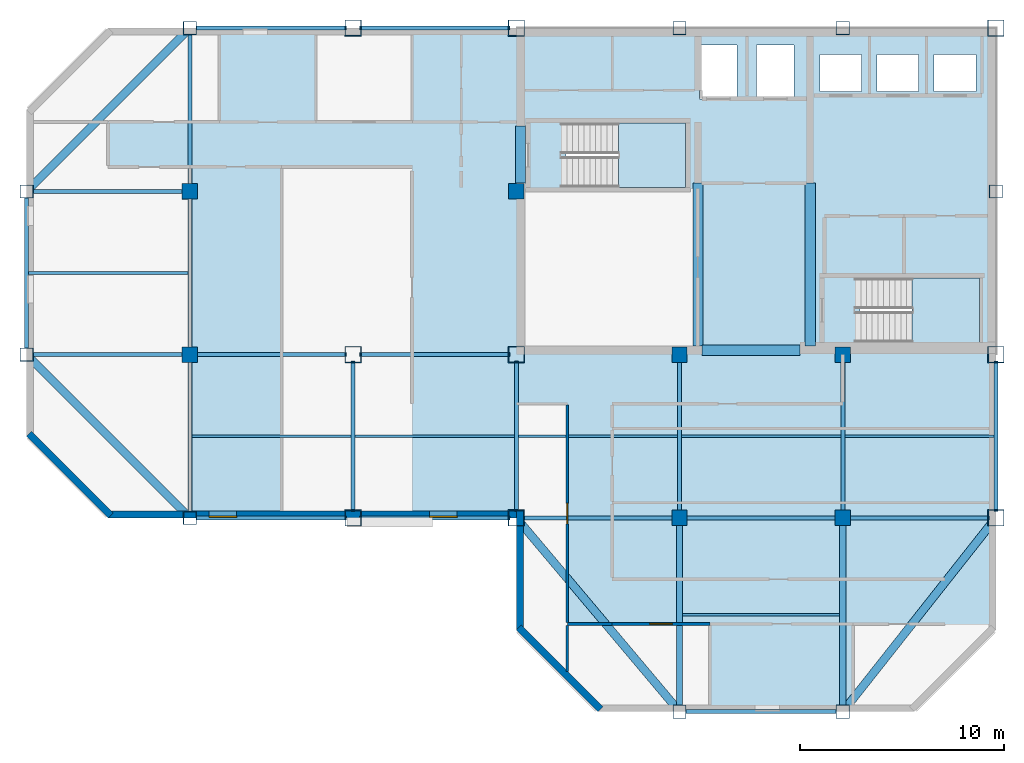
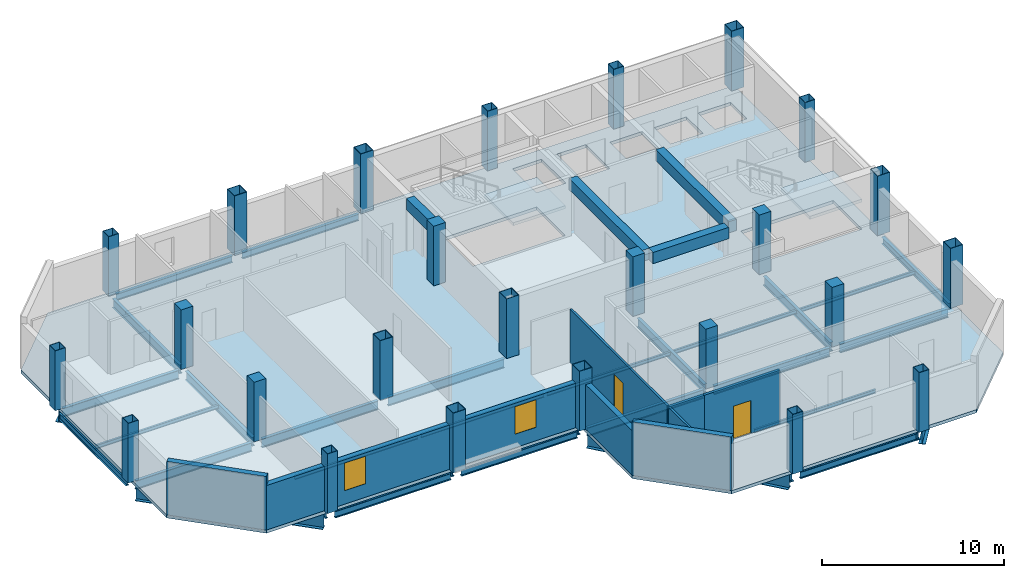
# One storey, part 1 of 7: 38 beams, 25 columns, 8 walls, 3 slabs, 2 doors, 2 windows, 4 openings, 2 elements without a shape of their own.
"""IFC4 building model written with IfcOpenShell, lengths in metres."""

from ifc_helpers import new_model, si_unit, direction, frame, frame_2d, origin, origin_2d, place, context, subcontext, project, spatial, polyline, rectangle, hollow_rectangle, i_section, outline, extrude, material, layer, layer_set, material_profile, profile_set, type_object, element, fill, aggregate, save


model = new_model("IFC4")

# Units and contexts
model_context = context("Model", 3, precision=1e-05, world=origin(), true_north=direction((0.0, 1.0)))
body_context = subcontext(model_context, "Body", "Model", "MODEL_VIEW")
ifc_project = project(units=[si_unit("LENGTHUNIT", "METRE"), si_unit("AREAUNIT", "SQUARE_METRE"), si_unit("VOLUMEUNIT", "CUBIC_METRE"), si_unit("PLANEANGLEUNIT", "RADIAN"), si_unit("MASSUNIT", "GRAM", prefix="KILO")], contexts=[model_context])

# Site, building, storey
site_placement = place(None, origin())
site = spatial("IfcSite", under=ifc_project, at=site_placement, CompositionType="ELEMENT")
building_placement = place(site_placement, origin())
building = spatial("IfcBuilding", under=site, at=building_placement, Name="Qianrong Seaharbour Tower", CompositionType="ELEMENT")
storey_placement = place(building_placement, frame((0.0, 0.0, 363.199951171875)))
storey = spatial("IfcBuildingStorey", under=building, at=storey_placement, Name="L88", CompositionType="ELEMENT", Elevation=363.199951171875)

# Columns
ifc_material_1 = material(Name="Structural steel SN490B", Category="steel")
ifc_material_profile_1 = material_profile(ifc_material_1, hollow_rectangle(XDim=0.800048828125, YDim=0.800048828125, WallThickness=0.031982421875, at=origin_2d()), Name="BOX800x800x32")
ifc_profile_set_1 = profile_set([ifc_material_profile_1], Name="Structural steel SN490B")
column_type_1 = type_object("IfcColumnType", Name="COL-CFT-800", PredefinedType="COLUMN", material=ifc_profile_set_1)
for number, where, z_axis, x_axis, name in (
    (1, (32.5, 28.0, 0.0), (0.0, 0.0, 1.0), (1.0, 0.0, 0.0), "L88 Column MC-5 at G5/GE"),
    (2, (32.5, 36.0, 0.0), (0.0, 0.0, 1.0), (1.0, 0.0, 0.0), "L88 Column MC-5 at G5/GF"),
    (3, (32.5, 52.0, 0.0), (0.0, 0.0, 1.0), (1.0, 0.0, 0.0), "L88 Column MC-5 at G5/GH"),
    (4, (40.5, 28.0, 0.0), (0.0, 0.0, 1.0), (1.0, 0.0, 0.0), "L88 Column MC-5 at G6/GE"),
    (5, (40.5, 36.0, 0.0), (0.0, 0.0, 1.0), (1.0, 0.0, 0.0), "L88 Column MC-5 at G6/GF"),
    (6, (40.5, 52.0, 0.0), (0.0, 0.0, 1.0), (1.0, 0.0, 0.0), "L88 Column MC-5 at G6/GH"),
    (7, (64.0, 28.0, 0.0), (0.0, 0.0, 1.0), (1.0, 0.0, 0.0), "L88 Column MC-5 at G9/GE"),
    (8, (64.0, 36.0, 0.0), (0.0, 0.0, 1.0), (1.0, 0.0, 0.0), "L88 Column MC-5 at G9/GF"),
    (9, (64.0, 52.0, 0.0), (0.0, 0.0, 1.0), (1.0, 0.0, 0.0), "L88 Column MC-5 at G9/GH"),
):
    element("IfcColumn", number, at=place(storey_placement, frame(where, z_axis=z_axis, x_axis=x_axis)), inside=storey, type_object=column_type_1, Name=name, PredefinedType="COLUMN", context=body_context, shape_type="SweptSolid", body=[
        extrude(hollow_rectangle(XDim=0.800048828125, YDim=0.800048828125, WallThickness=0.031982421875, at=origin_2d()), origin(), (0.0, 0.0, 1.0), 4.0),
    ])
ifc_material_2 = material(Name="Concrete C50/60", Category="concrete")
ifc_material_profile_2 = material_profile(ifc_material_2, rectangle(XDim=0.75, YDim=0.75, at=origin_2d()), Name="RC750x750")
ifc_profile_set_2 = profile_set([ifc_material_profile_2], Name="Concrete C50/60")
column_type_2 = type_object("IfcColumnType", Name="COL-INT-RC750", PredefinedType="COLUMN", material=ifc_profile_set_2)
for number, where, z_axis, x_axis, name in (
    (10, (24.5, 36.0, 0.0), (0.0, 0.0, 1.0), (1.0, 0.0, 0.0), "L88 Column IC-4 at G4/GF"),
    (11, (24.5, 44.0, 0.0), (0.0, 0.0, 1.0), (1.0, 0.0, 0.0), "L88 Column IC-4 at G4/GG"),
    (12, (40.5, 44.0, 0.0), (0.0, 0.0, 1.0), (1.0, 0.0, 0.0), "L88 Column IC-4 at G6/GG"),
    (13, (48.5, 28.0, 0.0), (0.0, 0.0, 1.0), (1.0, 0.0, 0.0), "L88 Column IC-4 at G7/GE"),
    (14, (48.5, 36.0, 0.0), (0.0, 0.0, 1.0), (1.0, 0.0, 0.0), "L88 Column IC-4 at G7/GF"),
    (15, (56.5, 28.0, 0.0), (0.0, 0.0, 1.0), (1.0, 0.0, 0.0), "L88 Column IC-4 at G8/GE"),
    (16, (56.5, 36.0, 0.0), (0.0, 0.0, 1.0), (1.0, 0.0, 0.0), "L88 Column IC-4 at G8/GF"),
):
    element("IfcColumn", number, at=place(storey_placement, frame(where, z_axis=z_axis, x_axis=x_axis)), inside=storey, type_object=column_type_2, Name=name, PredefinedType="COLUMN", context=body_context, shape_type="SweptSolid", body=[
        extrude(rectangle(XDim=0.75, YDim=0.75, at=origin_2d()), origin(), (0.0, 0.0, 1.0), 4.0),
    ])
ifc_material_3 = material(Name="Structural steel SN400B", Category="steel")
ifc_material_profile_3 = material_profile(ifc_material_3, hollow_rectangle(XDim=0.64990234375, YDim=0.64990234375, WallThickness=0.028076171875, at=origin_2d()), Name="BOX650x650x28")
ifc_profile_set_3 = profile_set([ifc_material_profile_3], Name="Structural steel SN400B")
column_type_3 = type_object("IfcColumnType", Name="COL-PER-650", PredefinedType="COLUMN", material=ifc_profile_set_3)
for number, where, z_axis, x_axis, name in (
    (17, (16.5, 36.0, 0.0), (0.0, 0.0, 1.0), (1.0, 0.0, 0.0), "L88 Column PC-4 at G3/GF"),
    (18, (16.5, 44.0, 0.0), (0.0, 0.0, 1.0), (1.0, 0.0, 0.0), "L88 Column PC-4 at G3/GG"),
    (19, (24.5, 28.0, 0.0), (0.0, 0.0, 1.0), (1.0, 0.0, 0.0), "L88 Column PC-4 at G4/GE"),
    (20, (24.5, 52.0, 0.0), (0.0, 0.0, 1.0), (1.0, 0.0, 0.0), "L88 Column PC-4 at G4/GH"),
    (21, (48.5, 18.5, 0.0), (0.0, 0.0, 1.0), (1.0, 0.0, 0.0), "L88 Column PC-4 at G7/GD"),
    (22, (48.5, 52.0, 0.0), (0.0, 0.0, 1.0), (1.0, 0.0, 0.0), "L88 Column PC-4 at G7/GH"),
    (23, (56.5, 18.5, 0.0), (0.0, 0.0, 1.0), (1.0, 0.0, 0.0), "L88 Column PC-4 at G8/GD"),
    (24, (56.5, 52.0, 0.0), (0.0, 0.0, 1.0), (1.0, 0.0, 0.0), "L88 Column PC-4 at G8/GH"),
    (25, (64.0, 44.0, 0.0), (0.0, 0.0, 1.0), (1.0, 0.0, 0.0), "L88 Column PC-4 at G9/GG"),
):
    element("IfcColumn", number, at=place(storey_placement, frame(where, z_axis=z_axis, x_axis=x_axis)), inside=storey, type_object=column_type_3, Name=name, PredefinedType="COLUMN", context=body_context, shape_type="SweptSolid", body=[
        extrude(hollow_rectangle(XDim=0.64990234375, YDim=0.64990234375, WallThickness=0.028076171875, at=origin_2d()), origin(), (0.0, 0.0, 1.0), 4.0),
    ])

# Beams
ifc_material_profile_4 = material_profile(ifc_material_1, i_section(OverallWidth=0.199951171875, OverallDepth=0.60009765625, WebThickness=0.010986328125, FlangeThickness=0.01708984375, FilletRadius=0.02197265625, at=origin_2d()), Name="H600x200x11x17")
ifc_profile_set_4 = profile_set([ifc_material_profile_4], Name="Structural steel SN490B")
beam_type_1 = type_object("IfcBeamType", Name="BM-G-600", PredefinedType="BEAM", material=ifc_profile_set_4)
for number, where, z_axis, x_axis, name in (
    (26, (40.820068359375, 28.0, -0.514892578125), (1.0, 0.0, 0.0), (0.0, 1.0, 0.0), "L88 Primary Girder GE G6-G7"),
    (27, (48.820068359375, 28.0, -0.514892578125), (1.0, 0.0, 0.0), (0.0, 1.0, 0.0), "L88 Primary Girder GE G7-G8"),
):
    element("IfcBeam", number, at=place(storey_placement, frame(where, z_axis=z_axis, x_axis=x_axis)), inside=storey, type_object=beam_type_1, Name=name, PredefinedType="BEAM", context=body_context, shape_type="SweptSolid", body=[
        extrude(i_section(OverallWidth=0.199951171875, OverallDepth=0.60009765625, WebThickness=0.010986328125, FlangeThickness=0.01708984375, FilletRadius=0.02197265625, at=origin_2d()), origin(), (0.0, 0.0, 1.0), 7.35986328125),
    ])
beam_1_placement = place(storey_placement, frame((56.820068359375, 28.0, -0.514892578125), z_axis=(1.0, 0.0, 0.0), x_axis=(0.0, 1.0, 0.0)))
element("IfcBeam", 28, at=beam_1_placement, inside=storey, type_object=beam_type_1, Name="L88 Primary Girder GE G8-G9", PredefinedType="BEAM", context=body_context, shape_type="SweptSolid", body=[
    extrude(i_section(OverallWidth=0.199951171875, OverallDepth=0.60009765625, WebThickness=0.010986328125, FlangeThickness=0.01708984375, FilletRadius=0.02197265625, at=origin_2d()), origin(), (0.0, 0.0, 1.0), 6.85986328125),
])
for number, where, z_axis, x_axis, name in (
    (29, (16.820068359375, 36.0, -0.514892578125), (1.0, 0.0, 0.0), (0.0, 1.0, 0.0), "L88 Primary Girder GF G3-G4"),
    (30, (24.820068359375, 36.0, -0.514892578125), (1.0, 0.0, 0.0), (0.0, 1.0, 0.0), "L88 Primary Girder GF G4-G5"),
    (31, (32.820068359375, 36.0, -0.514892578125), (1.0, 0.0, 0.0), (0.0, 1.0, 0.0), "L88 Primary Girder GF G5-G6"),
    (32, (16.820068359375, 44.0, -0.514892578125), (1.0, 0.0, 0.0), (0.0, 1.0, 0.0), "L88 Primary Girder GG G3-G4"),
    (33, (24.5, 28.320068359375, -0.514892578125), (0.0, 1.0, 0.0), (-1.0, 0.0, 0.0), "L88 Primary Girder G4 GE-GF"),
    (34, (24.5, 36.320068359375, -0.514892578125), (0.0, 1.0, 0.0), (-1.0, 0.0, 0.0), "L88 Primary Girder G4 GF-GG"),
    (35, (24.5, 44.320068359375, -0.514892578125), (0.0, 1.0, 0.0), (-1.0, 0.0, 0.0), "L88 Primary Girder G4 GG-GH"),
    (36, (32.5, 28.320068359375, -0.514892578125), (0.0, 1.0, 0.0), (-1.0, 0.0, 0.0), "L88 Primary Girder G5 GE-GF"),
    (37, (40.5, 28.320068359375, -0.514892578125), (0.0, 1.0, 0.0), (-1.0, 0.0, 0.0), "L88 Primary Girder G6 GE-GF"),
    (38, (48.5, 28.320068359375, -0.514892578125), (0.0, 1.0, 0.0), (-1.0, 0.0, 0.0), "L88 Primary Girder G7 GE-GF"),
    (39, (56.5, 28.320068359375, -0.514892578125), (0.0, 1.0, 0.0), (-1.0, 0.0, 0.0), "L88 Primary Girder G8 GE-GF"),
):
    element("IfcBeam", number, at=place(storey_placement, frame(where, z_axis=z_axis, x_axis=x_axis)), inside=storey, type_object=beam_type_1, Name=name, PredefinedType="BEAM", context=body_context, shape_type="SweptSolid", body=[
        extrude(i_section(OverallWidth=0.199951171875, OverallDepth=0.60009765625, WebThickness=0.010986328125, FlangeThickness=0.01708984375, FilletRadius=0.02197265625, at=origin_2d()), origin(), (0.0, 0.0, 1.0), 7.35986328125),
    ])
ifc_material_profile_5 = material_profile(ifc_material_1, i_section(OverallWidth=0.300048828125, OverallDepth=0.800048828125, WebThickness=0.013916015625, FlangeThickness=0.02587890625, FilletRadius=0.028076171875, at=origin_2d()), Name="H800x300x14x26")
ifc_profile_set_5 = profile_set([ifc_material_profile_5], Name="Structural steel SN490B")
beam_type_2 = type_object("IfcBeamType", Name="BM-G-800", PredefinedType="BEAM", material=ifc_profile_set_5)
for number, where, z_axis, x_axis, name in (
    (40, (48.5, 18.820068359375, -0.614990234375), (0.0, 1.0, 0.0), (-1.0, 0.0, 0.0), "L88 Primary Girder G7 GD-GE"),
    (41, (56.5, 18.820068359375, -0.614990234375), (0.0, 1.0, 0.0), (-1.0, 0.0, 0.0), "L88 Primary Girder G8 GD-GE"),
):
    element("IfcBeam", number, at=place(storey_placement, frame(where, z_axis=z_axis, x_axis=x_axis)), inside=storey, type_object=beam_type_2, Name=name, PredefinedType="BEAM", context=body_context, shape_type="SweptSolid", body=[
        extrude(i_section(OverallWidth=0.300048828125, OverallDepth=0.800048828125, WebThickness=0.013916015625, FlangeThickness=0.02587890625, FilletRadius=0.028076171875, at=origin_2d()), origin(), (0.0, 0.0, 1.0), 8.85986328125),
    ])
ifc_material_profile_6 = material_profile(ifc_material_3, i_section(OverallWidth=0.125, OverallDepth=0.25, WebThickness=0.006103515625, FlangeThickness=0.009033203125, FilletRadius=0.011962890625, at=origin_2d()), Name="H250x125x6x9")
ifc_profile_set_6 = profile_set([ifc_material_profile_6], Name="Structural steel SN400B")
beam_type_3 = type_object("IfcBeamType", Name="BM-J-250", PredefinedType="JOIST", material=ifc_profile_set_6)
for number, where, z_axis, x_axis, name in (
    (42, (16.60009765625, 40.0, -0.33984375), (1.0, 0.0, 0.0), (0.0, 1.0, 0.0), "L88 Composite Floor Joist G3-G4/GF-GG"),
    (43, (24.60009765625, 32.0, -0.33984375), (1.0, 0.0, 0.0), (0.0, 1.0, 0.0), "L88 Composite Floor Joist G4-G5/GE-GF"),
    (44, (32.60009765625, 32.0, -0.33984375), (1.0, 0.0, 0.0), (0.0, 1.0, 0.0), "L88 Composite Floor Joist G5-G6/GE-GF"),
    (45, (40.60009765625, 32.0, -0.33984375), (1.0, 0.0, 0.0), (0.0, 1.0, 0.0), "L88 Composite Floor Joist G6-G7/GE-GF"),
):
    element("IfcBeam", number, at=place(storey_placement, frame(where, z_axis=z_axis, x_axis=x_axis)), inside=storey, type_object=beam_type_3, Name=name, PredefinedType="JOIST", context=body_context, shape_type="SweptSolid", body=[
        extrude(i_section(OverallWidth=0.125, OverallDepth=0.25, WebThickness=0.006103515625, FlangeThickness=0.009033203125, FilletRadius=0.011962890625, at=origin_2d()), origin(), (0.0, 0.0, 1.0), 7.7998046875),
    ])
beam_2_placement = place(storey_placement, frame((48.64990234375, 23.25, -0.33984375), z_axis=(1.0, 0.0, 0.0), x_axis=(0.0, 1.0, 0.0)))
element("IfcBeam", 46, at=beam_2_placement, inside=storey, type_object=beam_type_3, Name="L88 Composite Floor Joist G7-G8/GD-GE", PredefinedType="JOIST", context=body_context, shape_type="SweptSolid", body=[
    extrude(i_section(OverallWidth=0.125, OverallDepth=0.25, WebThickness=0.006103515625, FlangeThickness=0.009033203125, FilletRadius=0.011962890625, at=origin_2d()), origin(), (0.0, 0.0, 1.0), 7.7001953125),
])
beam_3_placement = place(storey_placement, frame((48.60009765625, 32.0, -0.33984375), z_axis=(1.0, 0.0, 0.0), x_axis=(0.0, 1.0, 0.0)))
element("IfcBeam", 47, at=beam_3_placement, inside=storey, type_object=beam_type_3, Name="L88 Composite Floor Joist G7-G8/GE-GF", PredefinedType="JOIST", context=body_context, shape_type="SweptSolid", body=[
    extrude(i_section(OverallWidth=0.125, OverallDepth=0.25, WebThickness=0.006103515625, FlangeThickness=0.009033203125, FilletRadius=0.011962890625, at=origin_2d()), origin(), (0.0, 0.0, 1.0), 7.7998046875),
])
beam_4_placement = place(storey_placement, frame((56.60009765625, 32.0, -0.33984375), z_axis=(1.0, 0.0, 0.0), x_axis=(0.0, 1.0, 0.0)))
element("IfcBeam", 48, at=beam_4_placement, inside=storey, type_object=beam_type_3, Name="L88 Composite Floor Joist G8-G9/GE-GF", PredefinedType="JOIST", context=body_context, shape_type="SweptSolid", body=[
    extrude(i_section(OverallWidth=0.125, OverallDepth=0.25, WebThickness=0.006103515625, FlangeThickness=0.009033203125, FilletRadius=0.011962890625, at=origin_2d()), origin(), (0.0, 0.0, 1.0), 7.2998046875),
])
ifc_material_4 = material(Name="Concrete C60/75", Category="concrete")
ifc_material_profile_7 = material_profile(ifc_material_4, rectangle(XDim=0.5, YDim=0.75, at=origin_2d()), Name="RC500x750")
ifc_profile_set_7 = profile_set([ifc_material_profile_7], Name="Concrete C60/75")
beam_type_4 = type_object("IfcBeamType", Name="BM-LINTEL-750", PredefinedType="LINTEL", material=ifc_profile_set_7)
beam_5_placement = place(storey_placement, frame((40.7099609375, 44.39990234375, 3.205078125), z_axis=(0.0, 1.0, 0.0), x_axis=(-1.0, 0.0, 0.0)))
element("IfcBeam", 49, at=beam_5_placement, inside=storey, type_object=beam_type_4, Name="L88 Core Coupling Lintel Beam West", PredefinedType="LINTEL", context=body_context, shape_type="SweptSolid", body=[
    extrude(rectangle(XDim=0.5, YDim=0.75, at=origin_2d()), origin(), (0.0, 0.0, 1.0), 2.800048828125),
])
beam_6_placement = place(storey_placement, frame((49.60009765625, 36.2099609375, 3.205078125), z_axis=(1.0, 0.0, 0.0), x_axis=(0.0, 1.0, 0.0)))
element("IfcBeam", 50, at=beam_6_placement, inside=storey, type_object=beam_type_4, Name="L88 Core Coupling Lintel Beam CBC", PredefinedType="LINTEL", context=body_context, shape_type="SweptSolid", body=[
    extrude(rectangle(XDim=0.5, YDim=0.75, at=origin_2d()), origin(), (0.0, 0.0, 1.0), 4.7998046875),
])
for number, where, z_axis, x_axis, name in (
    (51, (49.39990234375, 36.419921875, 3.205078125), (0.0, 1.0, 0.0), (-1.0, 0.0, 0.0), "L88 Internal Core Coupling Beam IW1"),
    (52, (54.89990234375, 36.419921875, 3.205078125), (0.0, 1.0, 0.0), (-1.0, 0.0, 0.0), "L88 Internal Core Coupling Beam IW2"),
):
    element("IfcBeam", number, at=place(storey_placement, frame(where, z_axis=z_axis, x_axis=x_axis)), inside=storey, type_object=beam_type_4, Name=name, PredefinedType="LINTEL", context=body_context, shape_type="SweptSolid", body=[
        extrude(rectangle(XDim=0.5, YDim=0.75, at=origin_2d()), origin(), (0.0, 0.0, 1.0), 7.97998046875),
    ])
ifc_material_profile_8 = material_profile(ifc_material_3, i_section(OverallWidth=0.199951171875, OverallDepth=0.449951171875, WebThickness=0.009033203125, FlangeThickness=0.013916015625, FilletRadius=0.01806640625, at=origin_2d()), Name="H450x200x9x14")
ifc_profile_set_8 = profile_set([ifc_material_profile_8], Name="Structural steel SN400B")
beam_type_5 = type_object("IfcBeamType", Name="BM-SP-450", PredefinedType="SPANDREL", material=ifc_profile_set_8)
for number, where, z_axis, x_axis, name in (
    (53, (48.820068359375, 18.5, -0.43994140625), (1.0, 0.0, 0.0), (0.0, 1.0, 0.0), "L88 Spandrel Girder GD G7-G8"),
    (54, (24.820068359375, 28.0, -0.43994140625), (1.0, 0.0, 0.0), (0.0, 1.0, 0.0), "L88 Spandrel Girder GE G4-G5"),
    (55, (32.820068359375, 28.0, -0.43994140625), (1.0, 0.0, 0.0), (0.0, 1.0, 0.0), "L88 Spandrel Girder GE G5-G6"),
    (56, (24.820068359375, 52.0, -0.43994140625), (1.0, 0.0, 0.0), (0.0, 1.0, 0.0), "L88 Spandrel Girder GH G4-G5"),
    (57, (32.820068359375, 52.0, -0.43994140625), (1.0, 0.0, 0.0), (0.0, 1.0, 0.0), "L88 Spandrel Girder GH G5-G6"),
    (58, (16.5, 36.320068359375, -0.43994140625), (0.0, 1.0, 0.0), (-1.0, 0.0, 0.0), "L88 Spandrel Girder G3 GF-GG"),
    (59, (64.0, 28.320068359375, -0.43994140625), (0.0, 1.0, 0.0), (-1.0, 0.0, 0.0), "L88 Spandrel Girder G9 GE-GF"),
):
    element("IfcBeam", number, at=place(storey_placement, frame(where, z_axis=z_axis, x_axis=x_axis)), inside=storey, type_object=beam_type_5, Name=name, PredefinedType="SPANDREL", context=body_context, shape_type="SweptSolid", body=[
        extrude(i_section(OverallWidth=0.199951171875, OverallDepth=0.449951171875, WebThickness=0.009033203125, FlangeThickness=0.013916015625, FilletRadius=0.01806640625, at=origin_2d()), origin(), (0.0, 0.0, 1.0), 7.35986328125),
    ])
ifc_material_profile_9 = material_profile(ifc_material_1, i_section(OverallWidth=0.39990234375, OverallDepth=1.10009765625, WebThickness=0.02001953125, FlangeThickness=0.035888671875, at=origin_2d()), Name="BH1100x400x20x36")
ifc_profile_set_9 = profile_set([ifc_material_profile_9], Name="Structural steel SN490B")
beam_type_6 = type_object("IfcBeamType", Name="BM-TG-1100", PredefinedType="BEAM", material=ifc_profile_set_9)
for number, where, z_axis, x_axis, name in (
    (60, (24.273681640625, 28.226318359375, -0.764892578125), (-0.707106781187, 0.707106781187, 0.0), (-0.707106781187, -0.707106781187, 0.0), "L88 Chamfer Corner Spandrel Girder G3/GE"),
    (61, (24.273681640625, 51.773681640625, -0.764892578125), (-0.707106781187, -0.707106781187, 0.0), (0.707106781187, -0.707106781187, 0.0), "L88 Chamfer Corner Spandrel Girder G3/GH"),
):
    element("IfcBeam", number, at=place(storey_placement, frame(where, z_axis=z_axis, x_axis=x_axis)), inside=storey, type_object=beam_type_6, Name=name, PredefinedType="BEAM", context=body_context, shape_type="SweptSolid", body=[
        extrude(i_section(OverallWidth=0.39990234375, OverallDepth=1.10009765625, WebThickness=0.02001953125, FlangeThickness=0.035888671875, at=origin_2d()), origin(), (0.0, 0.0, 1.0), 10.673583984375),
    ])
beam_7_placement = place(storey_placement, frame((48.2939453125, 18.744873046875, -0.764892578125), z_axis=(-0.644151063101, 0.764898299061, 0.0), x_axis=(-0.764898299061, -0.644151063101, 0.0)))
element("IfcBeam", 62, at=beam_7_placement, inside=storey, type_object=beam_type_6, Name="L88 Chamfer Corner Spandrel Girder G6/GD", PredefinedType="BEAM", context=body_context, shape_type="SweptSolid", body=[
    extrude(i_section(OverallWidth=0.39990234375, OverallDepth=1.10009765625, WebThickness=0.02001953125, FlangeThickness=0.035888671875, at=origin_2d()), origin(), (0.0, 0.0, 1.0), 11.77978515625),
])
beam_8_placement = place(storey_placement, frame((56.6982421875, 18.751220703125, -0.764892578125), z_axis=(0.619653955715, 0.784875133487, 0.0), x_axis=(-0.784875133487, 0.619653955715, 0.0)))
element("IfcBeam", 63, at=beam_8_placement, inside=storey, type_object=beam_type_6, Name="L88 Chamfer Corner Spandrel Girder G9/GD", PredefinedType="BEAM", context=body_context, shape_type="SweptSolid", body=[
    extrude(i_section(OverallWidth=0.39990234375, OverallDepth=1.10009765625, WebThickness=0.02001953125, FlangeThickness=0.035888671875, at=origin_2d()), origin(), (0.0, 0.0, 1.0), 11.463623046875),
])

# Stair, slab
stair_type = type_object("IfcStairType", Name="STAIR-DOGLEG-1500-R22", PredefinedType="HALF_TURN_STAIR", material=ifc_material_2)
stair_1_placement = place(storey_placement, origin())
stair_1 = element("IfcStair", 64, at=stair_1_placement, inside=storey, type_object=stair_type, Name="L88 Protected Escape Stair ST-1", PredefinedType="HALF_TURN_STAIR")
ifc_layer_1 = layer(ifc_material_2, 0.199951171875)
ifc_layer_set_1 = layer_set([ifc_layer_1], Name="Concrete C50/60")
slab_type_1 = type_object("IfcSlabType", Name="SLAB-STAIR-LANDING-200", PredefinedType="LANDING", material=ifc_layer_set_1)
slab_1_placement = place(storey_placement, frame((0.0, 0.0, 1.800048828125)))
slab_1 = element("IfcSlab", 65, at=slab_1_placement, type_object=slab_type_1, Name="ST-1 landing 1", PredefinedType="LANDING", context=body_context, shape_type="SweptSolid", body=[
    extrude(outline(polyline([(45.5, 44.199951171875), (48.800048828125, 44.199951171875), (48.800048828125, 47.35009765625), (45.5, 47.35009765625), (45.5, 44.199951171875)])), origin(), (0.0, 0.0, 1.0), 0.199951171875),
])
aggregate(stair_1, [slab_1])

stair_2_placement = place(storey_placement, origin())
stair_2 = element("IfcStair", 66, at=stair_2_placement, inside=storey, type_object=stair_type, Name="L88 Protected Escape Stair ST-2", PredefinedType="HALF_TURN_STAIR")
slab_2_placement = place(storey_placement, frame((0.0, 0.0, 1.800048828125)))
slab_2 = element("IfcSlab", 67, at=slab_2_placement, type_object=slab_type_1, Name="ST-2 landing 1", PredefinedType="LANDING", context=body_context, shape_type="SweptSolid", body=[
    extrude(outline(polyline([(59.89990234375, 36.60009765625), (63.199951171875, 36.60009765625), (63.199951171875, 39.75), (59.89990234375, 39.75), (59.89990234375, 36.60009765625)])), origin(), (0.0, 0.0, 1.0), 0.199951171875),
])
aggregate(stair_2, [slab_2])

# Slab
ifc_layer_2 = layer(ifc_material_2, 0.215087890625)
ifc_layer_set_2 = layer_set([ifc_layer_2], Name="Concrete C50/60")
slab_type_2 = type_object("IfcSlabType", Name="SLAB-Z4-215", PredefinedType="FLOOR", material=ifc_layer_set_2)
slab_3_placement = place(storey_placement, frame((0.0, 0.0, -0.21484375)))
element("IfcSlab", 68, at=slab_3_placement, inside=storey, type_object=slab_type_2, Name="L88 Structural Floor Slab", PredefinedType="FLOOR", context=body_context, shape_type="SweptSolid", body=[
    extrude(outline(polyline([(44.5, 18.5), (60.0, 18.5), (64.0, 22.5), (64.0, 52.0), (20.5, 52.0), (16.5, 48.0), (16.5, 32.0), (20.5, 28.0), (40.5, 28.0), (40.5, 22.5), (44.5, 18.5)]), holes=[polyline([(42.93994140625, 44.199951171875), (42.93994140625, 47.35009765625), (48.800048828125, 47.35009765625), (48.800048828125, 44.199951171875), (42.93994140625, 44.199951171875)]), polyline([(57.340087890625, 36.60009765625), (57.340087890625, 39.75), (63.199951171875, 39.75), (63.199951171875, 36.60009765625), (57.340087890625, 36.60009765625)]), polyline([(49.47998046875, 48.530029296875), (49.47998046875, 51.169921875), (51.320068359375, 51.169921875), (51.320068359375, 48.530029296875), (49.47998046875, 48.530029296875)]), polyline([(52.280029296875, 48.530029296875), (52.280029296875, 51.169921875), (54.1201171875, 51.169921875), (54.1201171875, 48.530029296875), (52.280029296875, 48.530029296875)]), polyline([(55.3798828125, 48.89990234375), (55.3798828125, 50.699951171875), (57.419921875, 50.699951171875), (57.419921875, 48.89990234375), (55.3798828125, 48.89990234375)]), polyline([(58.179931640625, 48.89990234375), (58.179931640625, 50.699951171875), (60.219970703125, 50.699951171875), (60.219970703125, 48.89990234375), (58.179931640625, 48.89990234375)]), polyline([(60.97998046875, 48.89990234375), (60.97998046875, 50.699951171875), (63.02001953125, 50.699951171875), (63.02001953125, 48.89990234375), (60.97998046875, 48.89990234375)])]), origin(), (0.0, 0.0, 1.0), 0.21484375),
])

# Wall
ifc_material_5 = material(Name="Fire-rated acoustic gypsum board partition")
ifc_layer_3 = layer(ifc_material_5, 0.1650390625)
ifc_layer_set_3 = layer_set([ifc_layer_3], Name="Fire-rated acoustic gypsum board partition")
wall_type_1 = type_object("IfcWallType", Name="WALL-CORR-PART-165", PredefinedType="PARTITIONING", material=ifc_layer_set_3)
wall_1_placement = place(storey_placement, frame((45.199951171875, 22.800048828125, 0.0), z_axis=(0.0, 0.0, 1.0), x_axis=(-1.0, 0.0, 0.0)))
element("IfcWall", 69, at=wall_1_placement, inside=storey, type_object=wall_type_1, Name="L88 Interior Partition Wall 031", PredefinedType="PARTITIONING", context=body_context, shape_type="SweptSolid", body=[
    extrude(rectangle(XDim=2.199951171875, YDim=0.1650390625, at=frame_2d((1.10009765625, 0.0))), origin(), (0.0, 0.0, 1.0), 3.580078125),
])

# Wall, opening, door
wall_2_placement = place(storey_placement, frame((50.0, 22.800048828125, 0.0), z_axis=(0.0, 0.0, 1.0), x_axis=(-1.0, 0.0, 0.0)))
wall_2 = element("IfcWall", 70, at=wall_2_placement, inside=storey, type_object=wall_type_1, Name="L88 Interior Partition Wall 033", PredefinedType="PARTITIONING", context=body_context, shape_type="SweptSolid", body=[
    extrude(rectangle(XDim=4.800048828125, YDim=0.1650390625, at=frame_2d((2.39990234375, 0.0))), origin(), (0.0, 0.0, 1.0), 3.580078125),
])
opening_1_placement = place(wall_2_placement, frame((1.85009765625, 0.0, 0.0)))
opening_1 = element("IfcOpeningElement", 71, at=opening_1_placement, cuts=wall_2, Name="Opening DM-01", PredefinedType="OPENING", context=body_context, shape_type="SweptSolid", body=[
    extrude(rectangle(XDim=1.10009765625, YDim=2.199951171875, at=frame_2d((0.550048828125, 1.10009765625))), frame((0.0, 0.092529296875, 0.0), z_axis=(0.0, -1.0, 0.0), x_axis=(1.0, 0.0, 0.0)), (0.0, 0.0, 1.0), 0.18505859375),
])
ifc_material_6 = material(Name="Acoustic timber and galvanized steel fire door assembly", Category="steel")
door_type_1 = type_object("IfcDoorType", Name="DOOR-MEET-1100x2200", OperationType="NOTDEFINED", PredefinedType="DOOR", material=ifc_material_6)
door_1_placement = place(opening_1_placement, origin())
door_1 = element("IfcDoor", 72, at=door_1_placement, inside=storey, type_object=door_type_1, Name="L88 Mediation Meeting Room 1 Door", OperationType="SINGLE_SWING_LEFT", OverallHeight=2.199951171875, OverallWidth=1.10009765625, PredefinedType="DOOR", context=body_context, shape_type="SweptSolid", body=[
    extrude(rectangle(XDim=1.10009765625, YDim=2.199951171875, at=frame_2d((0.550048828125, 1.10009765625))), frame((0.0, 0.02490234375, 0.0), z_axis=(0.0, -1.0, 0.0), x_axis=(1.0, 0.0, 0.0)), (0.0, 0.0, 1.0), 0.050048828125),
])
fill(opening_1, door_1)

# Wall
ifc_material_7 = material(Name="Unitised buff brick on Precast concrete C45/55", Category="masonry")
ifc_layer_4 = layer(ifc_material_7, 0.340087890625)
ifc_layer_set_4 = layer_set([ifc_layer_4], Name="Unitised buff brick on Precast concrete C45/55")
wall_type_2 = type_object("IfcWallType", Name="WALL-EXT-BRICK-BUFF-340", PredefinedType="SOLIDWALL", material=ifc_layer_set_4)
wall_3_placement = place(storey_placement, frame((40.669921875, 22.5, 0.0), z_axis=(0.0, 0.0, 1.0), x_axis=(0.0, 1.0, 0.0)))
element("IfcWall", 73, at=wall_3_placement, inside=storey, type_object=wall_type_2, Name="L88 Exterior Masonry Facade Wall REENTRANT_WEST", PredefinedType="SOLIDWALL", context=body_context, shape_type="SweptSolid", body=[
    extrude(rectangle(XDim=5.840087890625, YDim=0.340087890625, at=frame_2d((2.919921875, 0.0))), origin(), (0.0, 0.0, 1.0), 2.97998046875),
])

# Wall, openings, windows
wall_4_placement = place(storey_placement, frame((40.52001953125, 28.169921875, 0.0), z_axis=(0.0, 0.0, 1.0), x_axis=(-1.0, 0.0, 0.0)))
wall_4 = element("IfcWall", 74, at=wall_4_placement, inside=storey, type_object=wall_type_2, Name="L88 Exterior Masonry Facade Wall HARBOUR_RIBBON", PredefinedType="SOLIDWALL", context=body_context, shape_type="SweptSolid", body=[
    extrude(rectangle(XDim=20.02001953125, YDim=0.340087890625, at=frame_2d((10.010009765625, 0.0))), origin(), (0.0, 0.0, 1.0), 2.97998046875),
])
opening_2_placement = place(wall_4_placement, frame((2.925048828125, 0.0, 0.89990234375)))
opening_2 = element("IfcOpeningElement", 75, at=opening_2_placement, cuts=wall_4, Name="Opening WN-02", PredefinedType="OPENING", context=body_context, shape_type="SweptSolid", body=[
    extrude(rectangle(XDim=1.35009765625, YDim=1.85009765625, at=frame_2d((0.675048828125, 0.925048828125))), frame((0.0, 0.18017578125, 0.0), z_axis=(0.0, -1.0, 0.0), x_axis=(1.0, 0.0, 0.0)), (0.0, 0.0, 1.0), 0.360107421875),
])
opening_3_placement = place(wall_4_placement, frame((13.72509765625, 0.0, 0.89990234375)))
opening_3 = element("IfcOpeningElement", 76, at=opening_3_placement, cuts=wall_4, Name="Opening WN-02", PredefinedType="OPENING", context=body_context, shape_type="SweptSolid", body=[
    extrude(rectangle(XDim=1.35009765625, YDim=1.85009765625, at=frame_2d((0.675048828125, 0.925048828125))), frame((0.0, 0.18017578125, 0.0), z_axis=(0.0, -1.0, 0.0), x_axis=(1.0, 0.0, 0.0)), (0.0, 0.0, 1.0), 0.360107421875),
])
ifc_material_8 = material(Name="Insulated low-e double glazing in thermally broken aluminium 6063-T6 frame", Category="aluminium")
window_type = type_object("IfcWindowType", Name="WIN-PUNCH-1350x1850", PartitioningType="DOUBLE_PANEL_VERTICAL", PredefinedType="WINDOW", material=ifc_material_8)
window_1_placement = place(opening_2_placement, origin())
window_1 = element("IfcWindow", 77, at=window_1_placement, inside=storey, type_object=window_type, Name="L88 Deep-Set Punched Window 01.01", OverallHeight=1.85009765625, OverallWidth=1.35009765625, PartitioningType="DOUBLE_PANEL_VERTICAL", PredefinedType="WINDOW", context=body_context, shape_type="SweptSolid", body=[
    extrude(rectangle(XDim=1.35009765625, YDim=1.85009765625, at=frame_2d((0.675048828125, 0.925048828125))), frame((0.0, 0.150146484375, 0.0), z_axis=(0.0, -1.0, 0.0), x_axis=(1.0, 0.0, 0.0)), (0.0, 0.0, 1.0), 0.06005859375),
])
fill(opening_2, window_1)
window_2_placement = place(opening_3_placement, origin())
window_2 = element("IfcWindow", 78, at=window_2_placement, inside=storey, type_object=window_type, Name="L88 Deep-Set Punched Window 01.04", OverallHeight=1.85009765625, OverallWidth=1.35009765625, PartitioningType="DOUBLE_PANEL_VERTICAL", PredefinedType="WINDOW", context=body_context, shape_type="SweptSolid", body=[
    extrude(rectangle(XDim=1.35009765625, YDim=1.85009765625, at=frame_2d((0.675048828125, 0.925048828125))), frame((0.0, 0.150146484375, 0.0), z_axis=(0.0, -1.0, 0.0), x_axis=(1.0, 0.0, 0.0)), (0.0, 0.0, 1.0), 0.06005859375),
])
fill(opening_3, window_2)

# Walls
for number, where, z_axis, x_axis, name in (
    (79, (20.6201171875, 28.1201171875, 0.0), (0.0, 0.0, 1.0), (-0.707106781187, 0.707106781187, 0.0), "L88 Exterior Masonry Facade Wall E02"),
    (80, (44.6201171875, 18.6201171875, 0.0), (0.0, 0.0, 1.0), (-0.707106781187, 0.707106781187, 0.0), "L88 Exterior Masonry Facade Wall E09"),
):
    element("IfcWall", number, at=place(storey_placement, frame(where, z_axis=z_axis, x_axis=x_axis)), inside=storey, type_object=wall_type_2, Name=name, PredefinedType="SOLIDWALL", context=body_context, shape_type="SweptSolid", body=[
        extrude(rectangle(XDim=5.65673828125, YDim=0.340087890625, at=frame_2d((2.828369140625, 0.0))), origin(), (0.0, 0.0, 1.0), 3.580078125),
    ])

# Wall, opening, door
ifc_material_9 = material(Name="Water-resistant cement board sanitary partition")
ifc_layer_5 = layer(ifc_material_9, 0.1298828125)
ifc_layer_set_5 = layer_set([ifc_layer_5], Name="Water-resistant cement board sanitary partition")
wall_type_3 = type_object("IfcWallType", Name="WALL-WET-PART-130", PredefinedType="PARTITIONING", material=ifc_layer_set_5)
wall_5_placement = place(storey_placement, frame((43.0, 22.87451171875, 0.0), z_axis=(0.0, 0.0, 1.0), x_axis=(0.0, 1.0, 0.0)))
wall_5 = element("IfcWall", 81, at=wall_5_placement, inside=storey, type_object=wall_type_3, Name="L88 Interior Partition Wall 030", PredefinedType="PARTITIONING", context=body_context, shape_type="SweptSolid", body=[
    extrude(rectangle(XDim=10.66845703125, YDim=0.1298828125, at=frame_2d((5.334228515625, 0.0))), origin(), (0.0, 0.0, 1.0), 3.580078125),
])
opening_4_placement = place(wall_5_placement, frame((4.834228515625, 0.0, 0.0)))
opening_4 = element("IfcOpeningElement", 82, at=opening_4_placement, cuts=wall_5, Name="Opening DO-01", PredefinedType="OPENING", context=body_context, shape_type="SweptSolid", body=[
    extrude(rectangle(XDim=1.0, YDim=2.14990234375, at=frame_2d((0.5, 1.074951171875))), frame((0.0, 0.074951171875, 0.0), z_axis=(0.0, -1.0, 0.0), x_axis=(1.0, 0.0, 0.0)), (0.0, 0.0, 1.0), 0.14990234375),
])
door_type_2 = type_object("IfcDoorType", Name="DOOR-OFFICE-1000x2150", OperationType="NOTDEFINED", PredefinedType="DOOR", material=ifc_material_6)
door_2_placement = place(opening_4_placement, origin())
door_2 = element("IfcDoor", 83, at=door_2_placement, inside=storey, type_object=door_type_2, Name="L88 Wet Pantry Door", OperationType="SINGLE_SWING_RIGHT", OverallHeight=2.14990234375, OverallWidth=1.0, PredefinedType="DOOR", context=body_context, shape_type="SweptSolid", body=[
    extrude(rectangle(XDim=1.0, YDim=2.14990234375, at=frame_2d((0.5, 1.074951171875))), frame((0.0, 0.02490234375, 0.0), z_axis=(0.0, -1.0, 0.0), x_axis=(1.0, 0.0, 0.0)), (0.0, 0.0, 1.0), 0.050048828125),
])
fill(opening_4, door_2)

# Wall
wall_6_placement = place(storey_placement, frame((43.0, 22.7255859375, 0.0), z_axis=(0.0, 0.0, 1.0), x_axis=(0.0, -1.0, 0.0)))
element("IfcWall", 84, at=wall_6_placement, inside=storey, type_object=wall_type_3, Name="L88 Interior Partition Wall 043", PredefinedType="PARTITIONING", context=body_context, shape_type="SweptSolid", body=[
    extrude(rectangle(XDim=2.256103515625, YDim=0.1298828125, at=frame_2d((1.1279296875, 0.0))), origin(), (0.0, 0.0, 1.0), 3.580078125),
])

save(model, "model.ifc")
